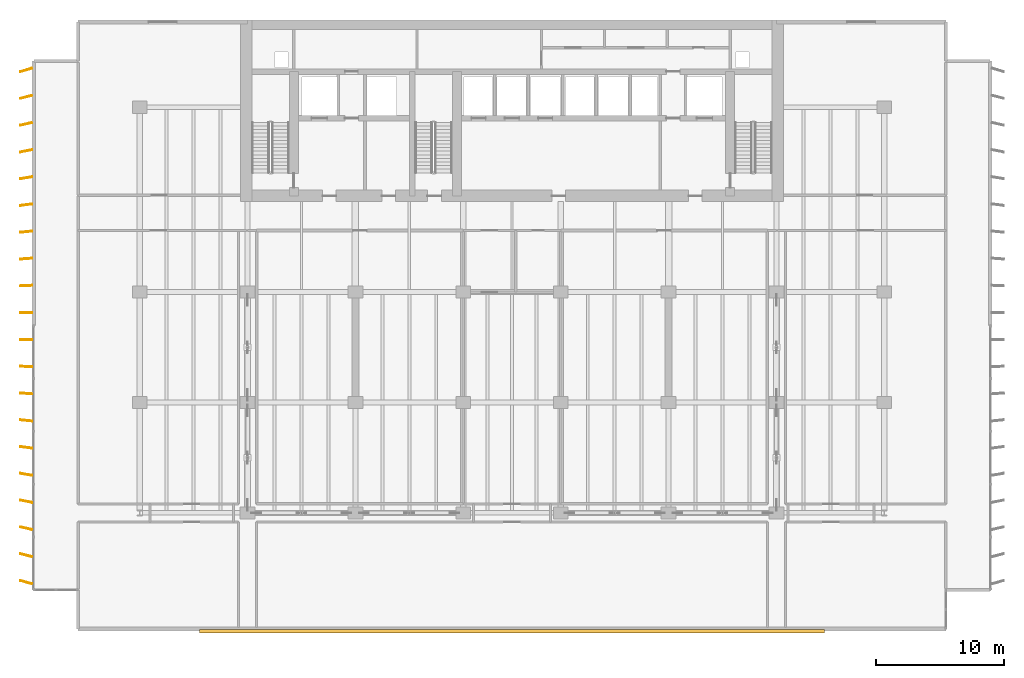
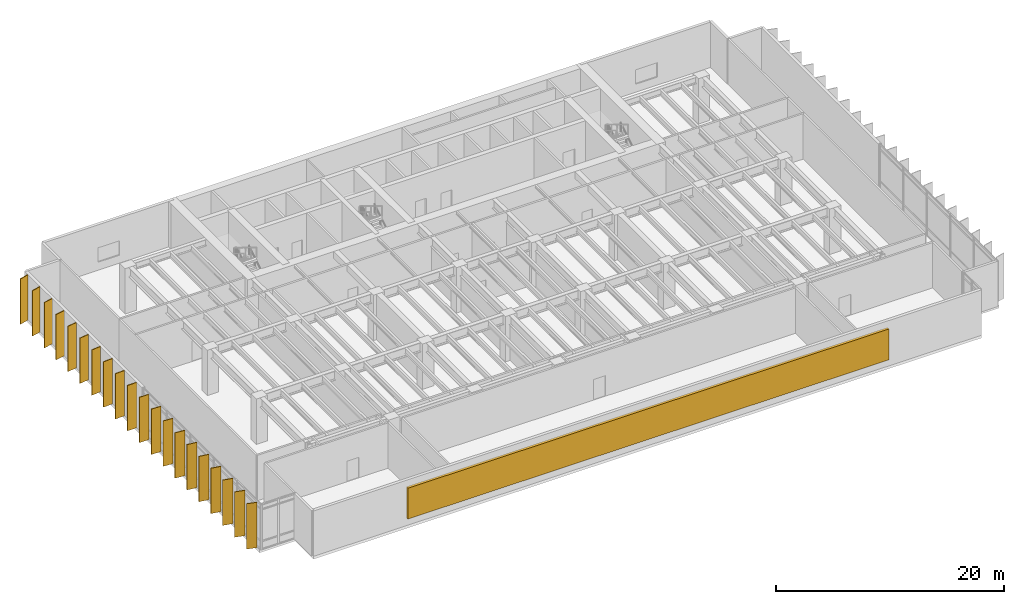
# One storey, part 18 of 21: 21 shading devices.
"""IFC4 building model written with IfcOpenShell, lengths in metres."""

from ifc_helpers import new_model, si_unit, direction, frame, origin, origin_2d, place, context, subcontext, project, spatial, rectangle, extrude, material, layer, layer_set, material_profile, profile_set, type_object, element, save


model = new_model("IFC4")

# Units and contexts
model_context = context("Model", 3, precision=1e-05, world=origin(), true_north=direction((0.0, 1.0)))
body_context = subcontext(model_context, "Body", "Model", "MODEL_VIEW")
ifc_project = project(units=[si_unit("LENGTHUNIT", "METRE"), si_unit("AREAUNIT", "SQUARE_METRE"), si_unit("VOLUMEUNIT", "CUBIC_METRE"), si_unit("PLANEANGLEUNIT", "RADIAN"), si_unit("MASSUNIT", "GRAM", prefix="KILO")], contexts=[model_context])

# Site, building, storey
site_placement = place(None, origin())
site = spatial("IfcSite", under=ifc_project, at=site_placement, CompositionType="ELEMENT")
building_placement = place(site_placement, origin())
building = spatial("IfcBuilding", under=site, at=building_placement, Name="Caelmar Bay Residences", CompositionType="ELEMENT")
storey_placement = place(building_placement, frame((0.0, 0.0, 79.5)))
storey = spatial("IfcBuildingStorey", under=building, at=storey_placement, Name="L21", CompositionType="ELEMENT", Elevation=79.5)

# Shading devices
ifc_material = material(Name="Anodised architectural bronze aluminium 6063-T6", Category="aluminium")
ifc_material_profile = material_profile(ifc_material, rectangle(XDim=0.074951171875, YDim=0.949951171875, at=origin_2d()), Name="BRONZE-FIN-75X950")
ifc_profile_set = profile_set([ifc_material_profile], Name="Anodised architectural bronze aluminium 6063-T6")
shading_device_type_1 = type_object("IfcShadingDeviceType", Name="SHD-FIN-950", PredefinedType="USERDEFINED", material=ifc_profile_set)
for number, where, z_axis, x_axis, name in (
    (1, (1.050048828125, 6.800048828125, 0.0), (0.0, 0.0, 1.0), (0.275637355817, 0.961261695938, 0.0), "L21 West Bronze Solar Fin 1"),
    (2, (1.050048828125, 8.89990234375, 0.0), (0.0, 0.0, 1.0), (0.247337247968, 0.968929453452, 0.0), "L21 West Bronze Solar Fin 2"),
    (3, (1.050048828125, 11.0, 0.0), (0.0, 0.0, 1.0), (0.218654200292, 0.975802408633, 0.0), "L21 West Bronze Solar Fin 3"),
    (4, (1.050048828125, 13.10009765625, 0.0), (0.0, 0.0, 1.0), (0.189952291512, 0.981793321911, 0.0), "L21 West Bronze Solar Fin 4"),
    (5, (1.050048828125, 15.199951171875, 0.0), (0.0, 0.0, 1.0), (0.160914826518, 0.986968296657, 0.0), "L21 West Bronze Solar Fin 5"),
    (6, (1.050048828125, 17.300048828125, 0.0), (0.0, 0.0, 1.0), (0.131910382711, 0.991261646052, 0.0), "L21 West Bronze Solar Fin 6"),
    (7, (1.050048828125, 19.39990234375, 0.0), (0.0, 0.0, 1.0), (0.10261892683, 0.994720742649, 0.0), "L21 West Bronze Solar Fin 7"),
    (8, (1.050048828125, 21.5, 0.0), (0.0, 0.0, 1.0), (0.073412260224, 0.997301679558, 0.0), "L21 West Bronze Solar Fin 8"),
    (9, (1.050048828125, 23.60009765625, 0.0), (0.0, 0.0, 1.0), (0.044142481788, 0.999025245578, 0.0), "L21 West Bronze Solar Fin 9"),
    (10, (1.050048828125, 25.699951171875, 0.0), (0.0, 0.0, 1.0), (0.01466024053, 0.999892532899, 0.0), "L21 West Bronze Solar Fin 10"),
    (11, (1.050048828125, 27.800048828125, 0.0), (0.0, 0.0, 1.0), (-0.01466024053, 0.999892532899, 0.0), "L21 West Bronze Solar Fin 11"),
    (12, (1.050048828125, 29.89990234375, 0.0), (0.0, 0.0, 1.0), (-0.044142481788, 0.999025245578, 0.0), "L21 West Bronze Solar Fin 12"),
    (13, (1.050048828125, 32.0, 0.0), (0.0, 0.0, 1.0), (-0.073412260224, 0.997301679558, 0.0), "L21 West Bronze Solar Fin 13"),
    (14, (1.050048828125, 34.10009765625, 0.0), (0.0, 0.0, 1.0), (-0.10261892683, 0.994720742649, 0.0), "L21 West Bronze Solar Fin 14"),
    (15, (1.050048828125, 36.199951171875, 0.0), (0.0, 0.0, 1.0), (-0.131910382711, 0.991261646052, 0.0), "L21 West Bronze Solar Fin 15"),
    (16, (1.050048828125, 38.300048828125, 0.0), (0.0, 0.0, 1.0), (-0.160914826518, 0.986968296657, 0.0), "L21 West Bronze Solar Fin 16"),
    (17, (1.050048828125, 40.39990234375, 0.0), (0.0, 0.0, 1.0), (-0.189952291512, 0.981793321911, 0.0), "L21 West Bronze Solar Fin 17"),
    (18, (1.050048828125, 42.5, 0.0), (0.0, 0.0, 1.0), (-0.218654200292, 0.975802408633, 0.0), "L21 West Bronze Solar Fin 18"),
    (19, (1.050048828125, 44.60009765625, 0.0), (0.0, 0.0, 1.0), (-0.247337247968, 0.968929453452, 0.0), "L21 West Bronze Solar Fin 19"),
    (20, (1.050048828125, 46.699951171875, 0.0), (0.0, 0.0, 1.0), (-0.275637355817, 0.961261695938, 0.0), "L21 West Bronze Solar Fin 20"),
):
    element("IfcShadingDevice", number, at=place(storey_placement, frame(where, z_axis=z_axis, x_axis=x_axis)), inside=storey, type_object=shading_device_type_1, Name=name, ObjectType="FIN", PredefinedType="USERDEFINED", context=body_context, shape_type="SweptSolid", body=[
        extrude(rectangle(XDim=0.074951171875, YDim=0.949951171875, at=origin_2d()), origin(), (0.0, 0.0, 1.0), 4.85009765625),
    ])
ifc_layer = layer(ifc_material, 0.219970703125)
ifc_layer_set = layer_set([ifc_layer], Name="Anodised architectural bronze aluminium 6063-T6")
shading_device_type_2 = type_object("IfcShadingDeviceType", Name="SHD-LVR-300", PredefinedType="JALOUSIE", material=ifc_layer_set)
shading_device_placement = place(storey_placement, frame((38.89990234375, 2.97998046875, 0.77587890625), z_axis=(0.0, 0.0, 1.0), x_axis=(1.0, 0.0, 0.0)))
element("IfcShadingDevice", 21, at=shading_device_placement, inside=storey, type_object=shading_device_type_2, Name="L21 South Acoustic Storm Louvre", PredefinedType="JALOUSIE", context=body_context, shape_type="SweptSolid", body=[
    extrude(rectangle(XDim=48.672119140625, YDim=0.280029296875, at=origin_2d()), origin(), (0.0, 0.0, 1.0), 3.298095703125),
])

save(model, "model.ifc")
